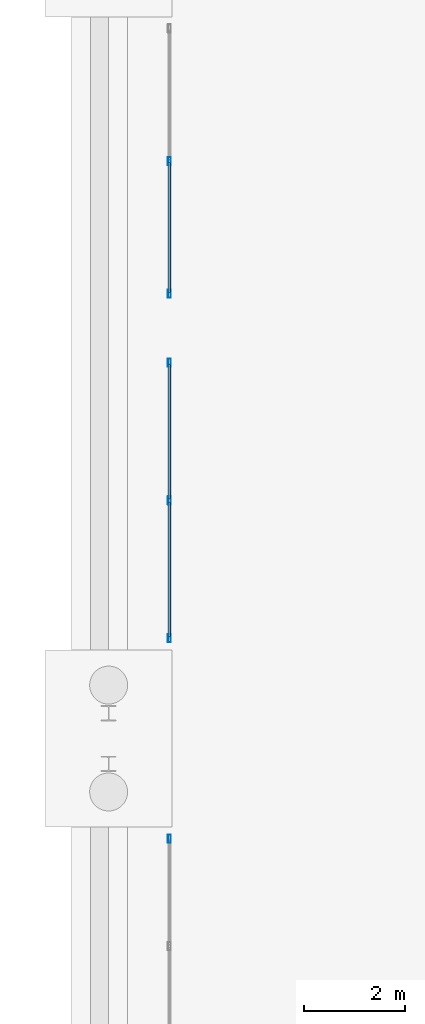
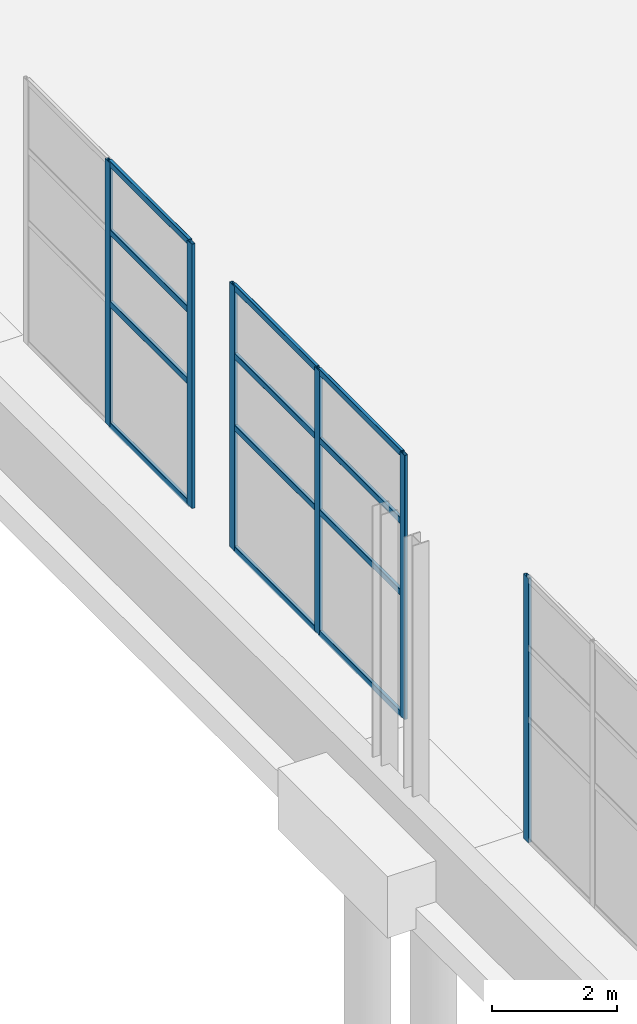
# One storey, part 34 of 91: 18 members, 3 elements without a shape of their own.
"""IFC4 building model written with IfcOpenShell, lengths in metres."""

import ifcopenshell
import ifcopenshell.guid

model = None  # the IFC model being written
_history = None  # IfcOwnerHistory: only IFC2X3 demands one
_inside = {}  # id of a spatial element -> (the spatial element, [elements in it])
_under = {}  # id of a project, library or spatial element -> (it, [spatial elements below it])
_declared = {}  # id of a project -> (the project, [libraries it declares])
_typed = {}  # id of a type object -> (the type object, [elements of that type])
_made_of = {}  # id of a material, layer set ... -> (it, [elements and type objects made of it])


def new_model(schema):
    """Start an empty IFC model of exactly this schema.

    Asked for "IFC4X3", IfcOpenShell would pick the latest addendum, in which some entities
    have other attributes; the version numbers below select the first issue.
    IFC2X3 requires an IfcOwnerHistory on every rooted entity: one is made here for all.
    """
    global model, _history
    if schema == "IFC4X3":
        model = ifcopenshell.file(schema_version=(4, 3, 0, 0))
    else:
        model = ifcopenshell.file(schema=schema)
    _inside.clear()
    _under.clear()
    _declared.clear()
    _typed.clear()
    _made_of.clear()
    _history = None
    if model.schema == "IFC2X3":
        org = make("IfcOrganization", Name="unknown")
        user = make(
            "IfcPersonAndOrganization",
            ThePerson=make("IfcPerson", FamilyName="unknown"),
            TheOrganization=org,
        )
        app = make(
            "IfcApplication",
            ApplicationDeveloper=org,
            Version="unknown",
            ApplicationFullName="unknown",
            ApplicationIdentifier="unknown",
        )
        _history = make(
            "IfcOwnerHistory",
            OwningUser=user,
            OwningApplication=app,
            ChangeAction="ADDED",
            CreationDate=0,
        )
    return model


def make(cls, **values):
    """One entity of the class cls with the attributes given. An attribute that is None is left unset."""
    return model.create_entity(
        cls, **{name: value for name, value in values.items() if value is not None}
    )


def rooted(cls, **values):
    """An entity with a GlobalId (a new one), such as an element, a storey or a relation."""
    return make(cls, GlobalId=ifcopenshell.guid.new(), OwnerHistory=_history, **values)


def si_unit(unit_type, name, prefix=None):
    """IfcSIUnit, for example si_unit("LENGTHUNIT", "METRE", prefix="MILLI")."""
    return make("IfcSIUnit", UnitType=unit_type, Prefix=prefix, Name=name)


def assignment(units):
    """IfcUnitAssignment: the units of a project."""
    return None if units is None else make("IfcUnitAssignment", Units=units)


def point(xyz):
    """IfcCartesianPoint."""
    return None if xyz is None else make("IfcCartesianPoint", Coordinates=xyz)


def direction(xyz):
    """IfcDirection."""
    return None if xyz is None else make("IfcDirection", DirectionRatios=xyz)


def frame(location, z_axis=None, x_axis=None):
    """IfcAxis2Placement3D, a coordinate frame: its origin and axes. An axis left out is left unset."""
    return make(
        "IfcAxis2Placement3D",
        Location=point(location),
        Axis=direction(z_axis),
        RefDirection=direction(x_axis),
    )


def frame_2d(location, x_axis=None):
    """IfcAxis2Placement2D, a coordinate frame in the plane: its origin and x axis."""
    return make(
        "IfcAxis2Placement2D", Location=point(location), RefDirection=direction(x_axis)
    )


def origin():
    """The frame at (0, 0, 0) with its axes left unset."""
    return frame((0.0, 0.0, 0.0))


def origin_2d():
    """The frame at (0, 0) in the plane with its x axis left unset."""
    return frame_2d((0.0, 0.0))


def place(relative_to, where):
    """IfcLocalPlacement: puts the frame where relative to a parent placement (None: the world)."""
    return make(
        "IfcLocalPlacement", PlacementRelTo=relative_to, RelativePlacement=where
    )


def context(
    kind, dimensions, precision=None, world=None, true_north=None, identifier=None
):
    """IfcGeometricRepresentationContext, for example the 3D "Model" context."""
    return make(
        "IfcGeometricRepresentationContext",
        ContextIdentifier=identifier,
        ContextType=kind,
        CoordinateSpaceDimension=dimensions,
        Precision=precision,
        WorldCoordinateSystem=world,
        TrueNorth=true_north,
    )


def subcontext(parent, identifier, kind, view, scale=None):
    """IfcGeometricRepresentationSubContext, for example "Body" below "Model"."""
    return make(
        "IfcGeometricRepresentationSubContext",
        ContextIdentifier=identifier,
        ContextType=kind,
        ParentContext=parent,
        TargetScale=scale,
        TargetView=view,
    )


def project(units=None, contexts=None):
    """IfcProject with its units and contexts."""
    return rooted(
        "IfcProject",
        Name="project",
        RepresentationContexts=contexts,
        UnitsInContext=assignment(units),
    )


def spatial(cls, under=None, at=None, **own):
    """A site, building, storey or space (cls), placed at a placement, below another one or the project."""
    s = rooted(cls, ObjectPlacement=at, **own)
    if under is not None:
        _under.setdefault(under.id(), (under, []))[1].append(s)
    return s


def profile(cls, at=None, kind="AREA", **sizes):
    """A parametric profile (cls). Its sizes go by their IFC names, for example OverallWidth=200.0."""
    return make(cls, ProfileType=kind, Position=at, **sizes)


def hollow_rectangle(**sizes):
    """IfcRectangleHollowProfileDef."""
    return profile("IfcRectangleHollowProfileDef", **sizes)


def extrude(swept, where, along, depth):
    """IfcExtrudedAreaSolid: the profile swept, set in the frame where, extruded along a direction by depth."""
    return make(
        "IfcExtrudedAreaSolid",
        SweptArea=swept,
        Position=where,
        ExtrudedDirection=direction(along),
        Depth=depth,
    )


def shape(context_of_items, identifier, shape_type, items):
    """IfcShapeRepresentation: the items that make up one representation, for example the "Body"."""
    return make(
        "IfcShapeRepresentation",
        ContextOfItems=context_of_items,
        RepresentationIdentifier=identifier,
        RepresentationType=shape_type,
        Items=items,
    )


def material(Name=None, Category=None):
    """IfcMaterial."""
    return make("IfcMaterial", Name=Name, Category=Category)


def material_profile(
    of_material, cross_section, Name=None, Category=None, Priority=None
):
    """IfcMaterialProfile: a cross section and its material."""
    return make(
        "IfcMaterialProfile",
        Name=Name,
        Material=of_material,
        Profile=cross_section,
        Priority=Priority,
        Category=Category,
    )


def profile_set(profiles, Name=None, composite=None):
    """IfcMaterialProfileSet."""
    return make(
        "IfcMaterialProfileSet",
        Name=Name,
        MaterialProfiles=profiles,
        CompositeProfile=composite,
    )


def made_of(thing, what):
    """Note that an element or type object is made of a material, layer set ...; save() writes the relation."""
    if what is not None:
        _made_of.setdefault(what.id(), (what, []))[1].append(thing)
    return thing


def type_object(cls, material=None, **own):
    """A type object (cls), such as IfcWallType, which elements share."""
    return made_of(rooted(cls, **own), material)


def element(
    cls,
    number,
    at=None,
    inside=None,
    cuts=None,
    type_object=None,
    material=None,
    context=None,
    identifier="Body",
    shape_type=None,
    held_by="IfcProductDefinitionShape",
    body=None,
    shapes=None,
    **own,
):
    """One element of the class cls, such as IfcWall. Its Tag is "e" and its number.

    at: its placement. inside: the storey or other place that contains it. cuts: it is an
    opening in that element (IfcRelVoidsElement). A single representation is given by context,
    identifier, shape_type and body (its items); several are given by shapes. held_by: the class
    of the entity that holds the representations. save() writes the other relations.
    """
    e = rooted(cls, Tag="e%d" % number, ObjectPlacement=at, **own)
    if body is not None:
        shapes = [shape(context, identifier, shape_type, body)]
    if shapes is not None:
        e.Representation = make(held_by, Representations=shapes)
    if inside is not None:
        _inside.setdefault(inside.id(), (inside, []))[1].append(e)
    if cuts is not None:
        rooted(
            "IfcRelVoidsElement", RelatingBuildingElement=cuts, RelatedOpeningElement=e
        )
    if type_object is not None:
        _typed.setdefault(type_object.id(), (type_object, []))[1].append(e)
    return made_of(e, material)


def aggregate(whole, parts):
    """IfcRelAggregates: a whole, such as a stair, and the parts it consists of."""
    return rooted("IfcRelAggregates", RelatingObject=whole, RelatedObjects=parts)


def save(model, path):
    """Write the relations noted so far, then the file.

    IfcRelAggregates (storeys below a building ...), IfcRelContainedInSpatialStructure (elements
    in a storey), IfcRelDefinesByType, IfcRelAssociatesMaterial and IfcRelDeclares: one each for
    every whole, place, type object, material and project.
    """
    for whole, parts in _under.values():
        aggregate(whole, parts)
    for where, things in _inside.values():
        rooted(
            "IfcRelContainedInSpatialStructure",
            RelatedElements=things,
            RelatingStructure=where,
        )
    for kind, things in _typed.values():
        rooted("IfcRelDefinesByType", RelatedObjects=things, RelatingType=kind)
    for what, things in _made_of.values():
        rooted("IfcRelAssociatesMaterial", RelatedObjects=things, RelatingMaterial=what)
    for by, libraries in _declared.values():
        rooted("IfcRelDeclares", RelatingContext=by, RelatedDefinitions=libraries)
    model.write(path)


model = new_model("IFC4")

# Units and contexts
model_context = context("Model", 3, precision=1e-05, world=origin(), true_north=direction((0.0, 1.0)))
body_context = subcontext(model_context, "Body", "Model", "MODEL_VIEW")
ifc_project = project(units=[si_unit("LENGTHUNIT", "METRE"), si_unit("AREAUNIT", "SQUARE_METRE"), si_unit("VOLUMEUNIT", "CUBIC_METRE"), si_unit("PLANEANGLEUNIT", "RADIAN"), si_unit("MASSUNIT", "GRAM", prefix="KILO")], contexts=[model_context])

# Site, building, storey
site_placement = place(None, origin())
site = spatial("IfcSite", under=ifc_project, at=site_placement, CompositionType="ELEMENT")
building_placement = place(site_placement, origin())
building = spatial("IfcBuilding", under=site, at=building_placement, Name="Bramveld Media Centre", CompositionType="ELEMENT")
storey_placement = place(building_placement, origin())
storey = spatial("IfcBuildingStorey", under=building, at=storey_placement, Name="L00", CompositionType="ELEMENT", Elevation=0.0)

# Curtain wall, member
ifc_material_1 = material(Name="Thermally broken anodized bronze aluminium unitized curtain wall with solar-control triple glazing", Category="aluminium")
curtain_wall_type_1 = type_object("IfcCurtainWallType", Name="CW-GAL-4300x5160", PredefinedType="NOTDEFINED", material=ifc_material_1)
curtain_wall_1_placement = place(storey_placement, origin())
curtain_wall_1 = element("IfcCurtainWall", 1, at=curtain_wall_1_placement, inside=storey, type_object=curtain_wall_type_1, Name="COLN-W colonnade glazed screen 2", PredefinedType="NOTDEFINED")
ifc_material_2 = material(Name="Thermally broken anodized bronze aluminium EN AW-6063 T6 curtain-wall framing", Category="aluminium")
ifc_material_profile_1 = material_profile(ifc_material_2, hollow_rectangle(XDim=0.06005859375, YDim=0.159912109375, WallThickness=0.00390625, InnerFilletRadius=0.00390625, OuterFilletRadius=0.008056640625, at=origin_2d()), Name="AL-MULL 60x160")
ifc_profile_set_1 = profile_set([ifc_material_profile_1], Name="Thermally broken anodized bronze aluminium EN AW-6063 T6 curtain-wall framing")
member_type_1 = type_object("IfcMemberType", Name="CW-MULL-EXT", PredefinedType="MULLION", material=ifc_profile_set_1)
member_1_placement = place(storey_placement, frame((1.199951171875, 80.1201171875, 0.0), z_axis=(0.0, 0.0, 1.0), x_axis=(-1.0, 0.0, 0.0)))
member_1 = element("IfcMember", 2, at=member_1_placement, type_object=member_type_1, Name="CW-GA-4351 mullion 3", PredefinedType="MULLION", context=body_context, shape_type="SweptSolid", body=[
    extrude(hollow_rectangle(XDim=0.06005859375, YDim=0.159912109375, WallThickness=0.00390625, InnerFilletRadius=0.00390625, OuterFilletRadius=0.008056640625, at=origin_2d()), origin(), (0.0, 0.0, 1.0), 5.159912109375),
])
aggregate(curtain_wall_1, [member_1])

# Curtain wall, members
ifc_material_3 = material(Name="Thermally broken anodized bronze aluminium unitized curtain wall with solar-control triple glazing", Category="aluminium")
curtain_wall_type_2 = type_object("IfcCurtainWallType", Name="CW-GAL-5500x5160", PredefinedType="NOTDEFINED", material=ifc_material_3)
curtain_wall_2_placement = place(storey_placement, origin())
curtain_wall_2 = element("IfcCurtainWall", 3, at=curtain_wall_2_placement, inside=storey, type_object=curtain_wall_type_2, Name="COLN-W colonnade glazed screen 4", PredefinedType="NOTDEFINED")
member_2_placement = place(storey_placement, frame((1.199951171875, 84.080078125, 0.0), z_axis=(0.0, 0.0, 1.0), x_axis=(-1.0, 0.0, 0.0)))
member_2 = element("IfcMember", 4, at=member_2_placement, type_object=member_type_1, Name="CW-GA-5551 mullion 1", PredefinedType="MULLION", context=body_context, shape_type="SweptSolid", body=[
    extrude(hollow_rectangle(XDim=0.06005859375, YDim=0.159912109375, WallThickness=0.00390625, InnerFilletRadius=0.00390625, OuterFilletRadius=0.008056640625, at=origin_2d()), origin(), (0.0, 0.0, 1.0), 5.159912109375),
])
member_3_placement = place(storey_placement, frame((1.199951171875, 86.800048828125, 0.0), z_axis=(0.0, 0.0, 1.0), x_axis=(-1.0, 0.0, 0.0)))
member_3 = element("IfcMember", 5, at=member_3_placement, type_object=member_type_1, Name="CW-GA-5551 mullion 2", PredefinedType="MULLION", context=body_context, shape_type="SweptSolid", body=[
    extrude(hollow_rectangle(XDim=0.06005859375, YDim=0.159912109375, WallThickness=0.00390625, InnerFilletRadius=0.00390625, OuterFilletRadius=0.008056640625, at=origin_2d()), origin(), (0.0, 0.0, 1.0), 5.159912109375),
])
member_4_placement = place(storey_placement, frame((1.199951171875, 89.52001953125, 0.0), z_axis=(0.0, 0.0, 1.0), x_axis=(-1.0, 0.0, 0.0)))
member_4 = element("IfcMember", 6, at=member_4_placement, type_object=member_type_1, Name="CW-GA-5551 mullion 3", PredefinedType="MULLION", context=body_context, shape_type="SweptSolid", body=[
    extrude(hollow_rectangle(XDim=0.06005859375, YDim=0.159912109375, WallThickness=0.00390625, InnerFilletRadius=0.00390625, OuterFilletRadius=0.008056640625, at=origin_2d()), origin(), (0.0, 0.0, 1.0), 5.159912109375),
])

ifc_material_4 = material(Name="Thermally broken anodized bronze aluminium unitized curtain wall with solar-control triple glazing", Category="aluminium")
curtain_wall_type_3 = type_object("IfcCurtainWallType", Name="CW-GAL-5300x5160", PredefinedType="NOTDEFINED", material=ifc_material_4)
curtain_wall_3_placement = place(storey_placement, origin())
curtain_wall_3 = element("IfcCurtainWall", 7, at=curtain_wall_3_placement, inside=storey, type_object=curtain_wall_type_3, Name="COLN-W colonnade glazed screen 5", PredefinedType="NOTDEFINED")
member_5_placement = place(storey_placement, frame((1.199951171875, 90.8798828125, 0.0), z_axis=(0.0, 0.0, 1.0), x_axis=(-1.0, 0.0, 0.0)))
member_5 = element("IfcMember", 8, at=member_5_placement, type_object=member_type_1, Name="CW-GA-5351 mullion 1", PredefinedType="MULLION", context=body_context, shape_type="SweptSolid", body=[
    extrude(hollow_rectangle(XDim=0.06005859375, YDim=0.159912109375, WallThickness=0.00390625, InnerFilletRadius=0.00390625, OuterFilletRadius=0.008056640625, at=origin_2d()), origin(), (0.0, 0.0, 1.0), 5.159912109375),
])
member_6_placement = place(storey_placement, frame((1.199951171875, 93.5, 0.0), z_axis=(0.0, 0.0, 1.0), x_axis=(-1.0, 0.0, 0.0)))
member_6 = element("IfcMember", 9, at=member_6_placement, type_object=member_type_1, Name="CW-GA-5351 mullion 2", PredefinedType="MULLION", context=body_context, shape_type="SweptSolid", body=[
    extrude(hollow_rectangle(XDim=0.06005859375, YDim=0.159912109375, WallThickness=0.00390625, InnerFilletRadius=0.00390625, OuterFilletRadius=0.008056640625, at=origin_2d()), origin(), (0.0, 0.0, 1.0), 5.159912109375),
])

# Member
ifc_material_5 = material(Name="Thermally broken anodized bronze aluminium EN AW-6063 T6 curtain-wall framing", Category="aluminium")
ifc_material_profile_2 = material_profile(ifc_material_5, hollow_rectangle(XDim=0.06005859375, YDim=0.1201171875, WallThickness=0.00341796875, InnerFilletRadius=0.00341796875, OuterFilletRadius=0.007080078125, at=origin_2d()), Name="AL-TRAN 60x120")
ifc_profile_set_2 = profile_set([ifc_material_profile_2], Name="Thermally broken anodized bronze aluminium EN AW-6063 T6 curtain-wall framing")
member_type_2 = type_object("IfcMemberType", Name="CW-TRAN-EXT", PredefinedType="USERDEFINED", material=ifc_profile_set_2)
member_7_placement = place(storey_placement, frame((1.199951171875, 84.110107421875, 0.030029296875), z_axis=(0.0, 1.0, 0.0), x_axis=(-1.0, 0.0, 0.0)))
member_7 = element("IfcMember", 10, at=member_7_placement, type_object=member_type_2, Name="CW-GA-5551 transom 1.1", ObjectType="TRANSOM", PredefinedType="USERDEFINED", context=body_context, shape_type="SweptSolid", body=[
    extrude(hollow_rectangle(XDim=0.06005859375, YDim=0.1201171875, WallThickness=0.00341796875, InnerFilletRadius=0.00341796875, OuterFilletRadius=0.007080078125, at=origin_2d()), origin(), (0.0, 0.0, 1.0), 2.659912109375),
])

member_8_placement = place(storey_placement, frame((1.199951171875, 84.110107421875, 2.39990234375), z_axis=(0.0, 1.0, 0.0), x_axis=(-1.0, 0.0, 0.0)))
member_8 = element("IfcMember", 11, at=member_8_placement, type_object=member_type_2, Name="CW-GA-5551 transom 1.2", ObjectType="TRANSOM", PredefinedType="USERDEFINED", context=body_context, shape_type="SweptSolid", body=[
    extrude(hollow_rectangle(XDim=0.06005859375, YDim=0.1201171875, WallThickness=0.00341796875, InnerFilletRadius=0.00341796875, OuterFilletRadius=0.007080078125, at=origin_2d()), origin(), (0.0, 0.0, 1.0), 2.659912109375),
])

member_9_placement = place(storey_placement, frame((1.199951171875, 84.110107421875, 3.800048828125), z_axis=(0.0, 1.0, 0.0), x_axis=(-1.0, 0.0, 0.0)))
member_9 = element("IfcMember", 12, at=member_9_placement, type_object=member_type_2, Name="CW-GA-5551 transom 1.3", ObjectType="TRANSOM", PredefinedType="USERDEFINED", context=body_context, shape_type="SweptSolid", body=[
    extrude(hollow_rectangle(XDim=0.06005859375, YDim=0.1201171875, WallThickness=0.00341796875, InnerFilletRadius=0.00341796875, OuterFilletRadius=0.007080078125, at=origin_2d()), origin(), (0.0, 0.0, 1.0), 2.659912109375),
])

member_10_placement = place(storey_placement, frame((1.199951171875, 84.110107421875, 5.1298828125), z_axis=(0.0, 1.0, 0.0), x_axis=(-1.0, 0.0, 0.0)))
member_10 = element("IfcMember", 13, at=member_10_placement, type_object=member_type_2, Name="CW-GA-5551 transom 1.4", ObjectType="TRANSOM", PredefinedType="USERDEFINED", context=body_context, shape_type="SweptSolid", body=[
    extrude(hollow_rectangle(XDim=0.06005859375, YDim=0.1201171875, WallThickness=0.00341796875, InnerFilletRadius=0.00341796875, OuterFilletRadius=0.007080078125, at=origin_2d()), origin(), (0.0, 0.0, 1.0), 2.659912109375),
])

member_11_placement = place(storey_placement, frame((1.199951171875, 86.830078125, 0.030029296875), z_axis=(0.0, 1.0, 0.0), x_axis=(-1.0, 0.0, 0.0)))
member_11 = element("IfcMember", 14, at=member_11_placement, type_object=member_type_2, Name="CW-GA-5551 transom 2.1", ObjectType="TRANSOM", PredefinedType="USERDEFINED", context=body_context, shape_type="SweptSolid", body=[
    extrude(hollow_rectangle(XDim=0.06005859375, YDim=0.1201171875, WallThickness=0.00341796875, InnerFilletRadius=0.00341796875, OuterFilletRadius=0.007080078125, at=origin_2d()), origin(), (0.0, 0.0, 1.0), 2.659912109375),
])

member_12_placement = place(storey_placement, frame((1.199951171875, 86.830078125, 2.39990234375), z_axis=(0.0, 1.0, 0.0), x_axis=(-1.0, 0.0, 0.0)))
member_12 = element("IfcMember", 15, at=member_12_placement, type_object=member_type_2, Name="CW-GA-5551 transom 2.2", ObjectType="TRANSOM", PredefinedType="USERDEFINED", context=body_context, shape_type="SweptSolid", body=[
    extrude(hollow_rectangle(XDim=0.06005859375, YDim=0.1201171875, WallThickness=0.00341796875, InnerFilletRadius=0.00341796875, OuterFilletRadius=0.007080078125, at=origin_2d()), origin(), (0.0, 0.0, 1.0), 2.659912109375),
])

member_13_placement = place(storey_placement, frame((1.199951171875, 86.830078125, 3.800048828125), z_axis=(0.0, 1.0, 0.0), x_axis=(-1.0, 0.0, 0.0)))
member_13 = element("IfcMember", 16, at=member_13_placement, type_object=member_type_2, Name="CW-GA-5551 transom 2.3", ObjectType="TRANSOM", PredefinedType="USERDEFINED", context=body_context, shape_type="SweptSolid", body=[
    extrude(hollow_rectangle(XDim=0.06005859375, YDim=0.1201171875, WallThickness=0.00341796875, InnerFilletRadius=0.00341796875, OuterFilletRadius=0.007080078125, at=origin_2d()), origin(), (0.0, 0.0, 1.0), 2.659912109375),
])

member_14_placement = place(storey_placement, frame((1.199951171875, 86.830078125, 5.1298828125), z_axis=(0.0, 1.0, 0.0), x_axis=(-1.0, 0.0, 0.0)))
member_14 = element("IfcMember", 17, at=member_14_placement, type_object=member_type_2, Name="CW-GA-5551 transom 2.4", ObjectType="TRANSOM", PredefinedType="USERDEFINED", context=body_context, shape_type="SweptSolid", body=[
    extrude(hollow_rectangle(XDim=0.06005859375, YDim=0.1201171875, WallThickness=0.00341796875, InnerFilletRadius=0.00341796875, OuterFilletRadius=0.007080078125, at=origin_2d()), origin(), (0.0, 0.0, 1.0), 2.659912109375),
])

aggregate(curtain_wall_2, [member_2, member_3, member_4, member_7, member_8, member_9, member_10, member_11, member_12, member_13, member_14])

member_15_placement = place(storey_placement, frame((1.199951171875, 90.909912109375, 0.030029296875), z_axis=(0.0, 1.0, 0.0), x_axis=(-1.0, 0.0, 0.0)))
member_15 = element("IfcMember", 18, at=member_15_placement, type_object=member_type_2, Name="CW-GA-5351 transom 1.1", ObjectType="TRANSOM", PredefinedType="USERDEFINED", context=body_context, shape_type="SweptSolid", body=[
    extrude(hollow_rectangle(XDim=0.06005859375, YDim=0.1201171875, WallThickness=0.00341796875, InnerFilletRadius=0.00341796875, OuterFilletRadius=0.007080078125, at=origin_2d()), origin(), (0.0, 0.0, 1.0), 2.56005859375),
])

member_16_placement = place(storey_placement, frame((1.199951171875, 90.909912109375, 2.39990234375), z_axis=(0.0, 1.0, 0.0), x_axis=(-1.0, 0.0, 0.0)))
member_16 = element("IfcMember", 19, at=member_16_placement, type_object=member_type_2, Name="CW-GA-5351 transom 1.2", ObjectType="TRANSOM", PredefinedType="USERDEFINED", context=body_context, shape_type="SweptSolid", body=[
    extrude(hollow_rectangle(XDim=0.06005859375, YDim=0.1201171875, WallThickness=0.00341796875, InnerFilletRadius=0.00341796875, OuterFilletRadius=0.007080078125, at=origin_2d()), origin(), (0.0, 0.0, 1.0), 2.56005859375),
])

member_17_placement = place(storey_placement, frame((1.199951171875, 90.909912109375, 3.800048828125), z_axis=(0.0, 1.0, 0.0), x_axis=(-1.0, 0.0, 0.0)))
member_17 = element("IfcMember", 20, at=member_17_placement, type_object=member_type_2, Name="CW-GA-5351 transom 1.3", ObjectType="TRANSOM", PredefinedType="USERDEFINED", context=body_context, shape_type="SweptSolid", body=[
    extrude(hollow_rectangle(XDim=0.06005859375, YDim=0.1201171875, WallThickness=0.00341796875, InnerFilletRadius=0.00341796875, OuterFilletRadius=0.007080078125, at=origin_2d()), origin(), (0.0, 0.0, 1.0), 2.56005859375),
])

member_18_placement = place(storey_placement, frame((1.199951171875, 90.909912109375, 5.1298828125), z_axis=(0.0, 1.0, 0.0), x_axis=(-1.0, 0.0, 0.0)))
member_18 = element("IfcMember", 21, at=member_18_placement, type_object=member_type_2, Name="CW-GA-5351 transom 1.4", ObjectType="TRANSOM", PredefinedType="USERDEFINED", context=body_context, shape_type="SweptSolid", body=[
    extrude(hollow_rectangle(XDim=0.06005859375, YDim=0.1201171875, WallThickness=0.00341796875, InnerFilletRadius=0.00341796875, OuterFilletRadius=0.007080078125, at=origin_2d()), origin(), (0.0, 0.0, 1.0), 2.56005859375),
])

aggregate(curtain_wall_3, [member_5, member_6, member_15, member_16, member_17, member_18])

save(model, "model.ifc")
